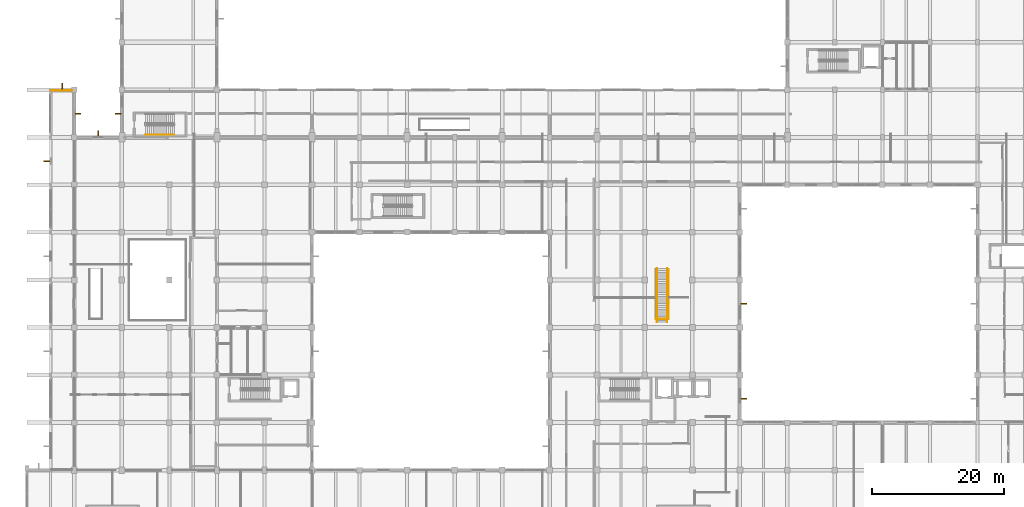
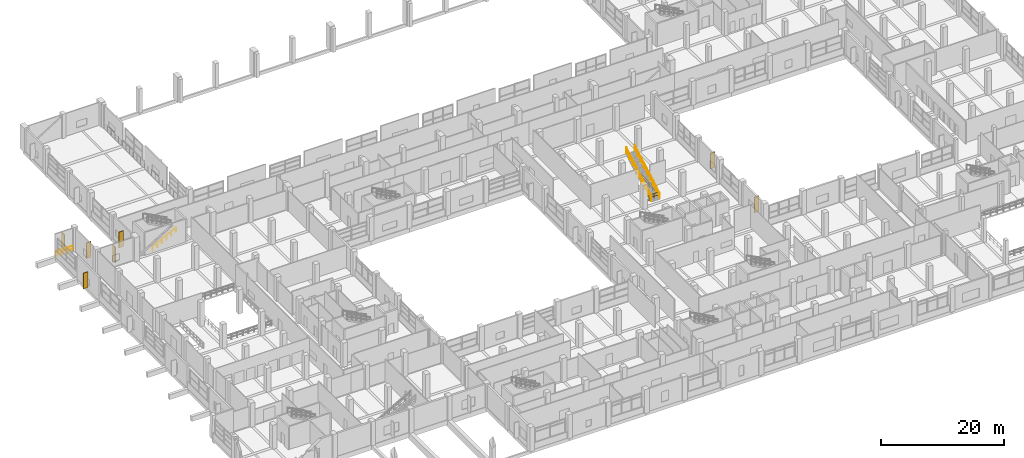
# One storey, part 175 of 181: 7 railings, 7 shading devices.
"""IFC4 building model written with IfcOpenShell, lengths in metres."""

from ifc_helpers import new_model, si_unit, direction, frame, origin, origin_2d, place, context, subcontext, project, spatial, rectangle, circle, extrude, material, type_object, element, save


model = new_model("IFC4")

# Units and contexts
model_context = context("Model", 3, precision=1e-05, world=origin(), true_north=direction((0.0, 1.0)))
body_context = subcontext(model_context, "Body", "Model", "MODEL_VIEW")
ifc_project = project(units=[si_unit("LENGTHUNIT", "METRE"), si_unit("AREAUNIT", "SQUARE_METRE"), si_unit("VOLUMEUNIT", "CUBIC_METRE"), si_unit("PLANEANGLEUNIT", "RADIAN"), si_unit("MASSUNIT", "GRAM", prefix="KILO")], contexts=[model_context])

# Site, building, storey
site_placement = place(None, origin())
site = spatial("IfcSite", under=ifc_project, at=site_placement, CompositionType="ELEMENT")
building_placement = place(site_placement, origin())
building = spatial("IfcBuilding", under=site, at=building_placement, Name="Seraya Terrace Polytechnic", CompositionType="ELEMENT")
storey_placement = place(building_placement, frame((0.0, 0.0, 4.800048828125)))
storey = spatial("IfcBuildingStorey", under=building, at=storey_placement, Name="L01", CompositionType="ELEMENT", Elevation=4.800048828125)

# Shading devices
ifc_material_1 = material(Name="Precast concrete C40/50", Category="concrete")
shading_device_type = type_object("IfcShadingDeviceType", Name="BS-F1", PredefinedType="JALOUSIE", material=ifc_material_1)
for number, where, z_axis, x_axis, name in (
    (1, (3.02001953125, 75.60009765625, 0.449951171875), (0.0, 0.0, 1.0), (-1.0, 0.0, 0.0), "Precast concrete brise-soleil fin L01"),
    (2, (5.39990234375, 86.949951171875, 0.449951171875), (0.0, 0.0, 1.0), (0.0, 1.0, 0.0), "Precast concrete brise-soleil fin L01"),
    (3, (7.75, 82.800048828125, 0.449951171875), (0.0, 0.0, 1.0), (1.0, 0.0, 0.0), "Precast concrete brise-soleil fin L01"),
    (4, (10.800048828125, 79.75, 0.449951171875), (0.0, 0.0, 1.0), (0.0, 1.0, 0.0), "Precast concrete brise-soleil fin L01"),
    (5, (13.85009765625, 82.800048828125, 0.449951171875), (0.0, 0.0, 1.0), (-1.0, 0.0, 0.0), "Precast concrete brise-soleil fin L01"),
    (6, (108.580078125, 54.0, 0.449951171875), (0.0, 0.0, 1.0), (1.0, 0.0, 0.0), "Precast concrete brise-soleil fin L01"),
    (7, (108.580078125, 39.60009765625, 0.449951171875), (0.0, 0.0, 1.0), (1.0, 0.0, 0.0), "Precast concrete brise-soleil fin L01"),
):
    element("IfcShadingDevice", number, at=place(storey_placement, frame(where, z_axis=z_axis, x_axis=x_axis)), inside=storey, type_object=shading_device_type, Name=name, PredefinedType="JALOUSIE", context=body_context, shape_type="SweptSolid", body=[
        extrude(rectangle(XDim=0.89990234375, YDim=0.14990234375, at=origin_2d()), origin(), (0.0, 0.0, 1.0), 3.10009765625),
    ])

# Railings
ifc_material_2 = material(Name="Steel S355J2", Category="steel")
railing_type_1 = type_object("IfcRailingType", Name="GR-01", PredefinedType="GUARDRAIL", material=ifc_material_2)
railing_1_placement = place(storey_placement, frame((3.719970703125, 86.280029296875, 0.0)))
element("IfcRailing", 8, at=railing_1_placement, inside=storey, type_object=railing_type_1, Name="Colonnade gallery guardrail GR-L01-COL-N", PredefinedType="GUARDRAIL", context=body_context, shape_type="SweptSolid", body=[
    extrude(circle(Radius=0.02392578125, at=origin_2d()), frame((0.0, 0.0, 1.10595703125), z_axis=(1.0, 0.0, 0.0), x_axis=(0.0, 1.0, 0.0)), (0.0, 0.0, 1.0), 3.130126953125),
    extrude(circle(Radius=0.02392578125, at=origin_2d()), frame((0.0, 0.0, 0.550048828125), z_axis=(1.0, 0.0, 0.0), x_axis=(0.0, 1.0, 0.0)), (0.0, 0.0, 1.0), 3.130126953125),
    extrude(circle(Radius=0.02099609375, at=origin_2d()), origin(), (0.0, 0.0, 1.0), 1.081787109375),
    extrude(circle(Radius=0.02099609375, at=origin_2d()), frame((1.04345703125, 0.0, 0.0)), (0.0, 0.0, 1.0), 1.081787109375),
    extrude(circle(Radius=0.02099609375, at=origin_2d()), frame((2.086669921875, 0.0, 0.0)), (0.0, 0.0, 1.0), 1.081787109375),
    extrude(circle(Radius=0.02099609375, at=origin_2d()), frame((3.130126953125, 0.0, 0.0)), (0.0, 0.0, 1.0), 1.081787109375),
])
railing_type_2 = type_object("IfcRailingType", Name="GR-02", PredefinedType="GUARDRAIL", material=ifc_material_2)
railing_2_placement = place(storey_placement, frame((95.280029296875, 51.679931640625, 0.0)))
element("IfcRailing", 9, at=railing_2_placement, inside=storey, type_object=railing_type_2, Name="ST-16 top opening guard L01.1", PredefinedType="GUARDRAIL", context=body_context, shape_type="SweptSolid", body=[
    extrude(circle(Radius=0.02392578125, at=origin_2d()), frame((0.0, 0.0, 1.10595703125), z_axis=(1.0, 0.0, 0.0), x_axis=(0.0, 1.0, 0.0)), (0.0, 0.0, 1.0), 1.919921875),
    extrude(circle(Radius=0.02392578125, at=origin_2d()), frame((0.0, 0.0, 0.550048828125), z_axis=(1.0, 0.0, 0.0), x_axis=(0.0, 1.0, 0.0)), (0.0, 0.0, 1.0), 1.919921875),
    extrude(circle(Radius=0.02099609375, at=origin_2d()), origin(), (0.0, 0.0, 1.0), 1.081787109375),
    extrude(circle(Radius=0.02099609375, at=origin_2d()), frame((0.9599609375, 0.0, 0.0)), (0.0, 0.0, 1.0), 1.081787109375),
    extrude(circle(Radius=0.02099609375, at=origin_2d()), frame((1.919921875, 0.0, 0.0)), (0.0, 0.0, 1.0), 1.081787109375),
])
railing_3_placement = place(storey_placement, frame((97.199951171875, 51.739990234375, 0.0)))
element("IfcRailing", 10, at=railing_3_placement, inside=storey, type_object=railing_type_2, Name="ST-16 top opening guard L01.3", PredefinedType="GUARDRAIL", context=body_context, shape_type="SweptSolid", body=[
    extrude(circle(Radius=0.02392578125, at=origin_2d()), frame((0.0, 0.0, 1.10595703125), z_axis=(0.0, 1.0, 0.0), x_axis=(-1.0, 0.0, 0.0)), (0.0, 0.0, 1.0), 7.47998046875),
    extrude(circle(Radius=0.02392578125, at=origin_2d()), frame((0.0, 0.0, 0.550048828125), z_axis=(0.0, 1.0, 0.0), x_axis=(-1.0, 0.0, 0.0)), (0.0, 0.0, 1.0), 7.47998046875),
    extrude(circle(Radius=0.02099609375, at=origin_2d()), origin(), (0.0, 0.0, 1.0), 1.081787109375),
    extrude(circle(Radius=0.02099609375, at=origin_2d()), frame((0.0, 1.068603515625, 0.0)), (0.0, 0.0, 1.0), 1.081787109375),
    extrude(circle(Radius=0.02099609375, at=origin_2d()), frame((0.0, 2.13720703125, 0.0)), (0.0, 0.0, 1.0), 1.081787109375),
    extrude(circle(Radius=0.02099609375, at=origin_2d()), frame((0.0, 3.205810546875, 0.0)), (0.0, 0.0, 1.0), 1.081787109375),
    extrude(circle(Radius=0.02099609375, at=origin_2d()), frame((0.0, 4.274169921875, 0.0)), (0.0, 0.0, 1.0), 1.081787109375),
    extrude(circle(Radius=0.02099609375, at=origin_2d()), frame((0.0, 5.3427734375, 0.0)), (0.0, 0.0, 1.0), 1.081787109375),
    extrude(circle(Radius=0.02099609375, at=origin_2d()), frame((0.0, 6.411376953125, 0.0)), (0.0, 0.0, 1.0), 1.081787109375),
    extrude(circle(Radius=0.02099609375, at=origin_2d()), frame((0.0, 7.47998046875, 0.0)), (0.0, 0.0, 1.0), 1.081787109375),
])
for number, where, name in (
    (11, (97.02001953125, 51.199951171875, 0.159912109375), "ST-16 flight guard L01"),
    (12, (95.4599609375, 51.199951171875, 0.159912109375), "ST-16 flight outer guard L01"),
):
    element("IfcRailing", number, at=place(storey_placement, frame(where)), inside=storey, type_object=railing_type_2, Name=name, PredefinedType="GUARDRAIL", context=body_context, shape_type="SweptSolid", body=[
        extrude(circle(Radius=0.02392578125, at=origin_2d()), frame((0.0, 0.0, 1.10595703125), z_axis=(0.0, 0.868239929229, 0.496144560882), x_axis=(-1.0, 0.0, 0.0)), (0.0, 0.0, 1.0), 9.352294921875),
        extrude(circle(Radius=0.02392578125, at=origin_2d()), frame((0.0, 0.0, 0.550048828125), z_axis=(0.0, 0.868239929229, 0.496144560882), x_axis=(-1.0, 0.0, 0.0)), (0.0, 0.0, 1.0), 9.352294921875),
        extrude(circle(Radius=0.02099609375, at=origin_2d()), origin(), (0.0, 0.0, 1.0), 1.081787109375),
        extrude(circle(Radius=0.02099609375, at=origin_2d()), frame((0.0, 1.01513671875, 0.580078125)), (0.0, 0.0, 1.0), 1.081787109375),
        extrude(circle(Radius=0.02099609375, at=origin_2d()), frame((0.0, 2.030029296875, 1.16015625)), (0.0, 0.0, 1.0), 1.081787109375),
        extrude(circle(Radius=0.02099609375, at=origin_2d()), frame((0.0, 3.044921875, 1.739990234375)), (0.0, 0.0, 1.0), 1.081787109375),
        extrude(circle(Radius=0.02099609375, at=origin_2d()), frame((0.0, 4.06005859375, 2.320068359375)), (0.0, 0.0, 1.0), 1.081787109375),
        extrude(circle(Radius=0.02099609375, at=origin_2d()), frame((0.0, 5.0751953125, 2.900146484375)), (0.0, 0.0, 1.0), 1.081787109375),
        extrude(circle(Radius=0.02099609375, at=origin_2d()), frame((0.0, 6.090087890625, 3.47998046875)), (0.0, 0.0, 1.0), 1.081787109375),
        extrude(circle(Radius=0.02099609375, at=origin_2d()), frame((0.0, 7.10498046875, 4.06005859375)), (0.0, 0.0, 1.0), 1.081787109375),
        extrude(circle(Radius=0.02099609375, at=origin_2d()), frame((0.0, 8.1201171875, 4.64013671875)), (0.0, 0.0, 1.0), 1.081787109375),
    ])
railing_type_3 = type_object("IfcRailingType", Name="HR-01", PredefinedType="HANDRAIL", material=ifc_material_2)
railing_4_placement = place(storey_placement, frame((18.0, 79.60009765625, 0.14990234375)))
element("IfcRailing", 13, at=railing_4_placement, inside=storey, type_object=railing_type_3, Name="L01 ST-07 stair handrail 1", PredefinedType="HANDRAIL", context=body_context, shape_type="SweptSolid", body=[
    extrude(circle(Radius=0.02392578125, at=origin_2d()), frame((0.0, 0.0, 0.8759765625), z_axis=(0.888221851817, 0.0, 0.459414782038), x_axis=(0.0, 1.0, 0.0)), (0.0, 0.0, 1.0), 4.8974609375),
    extrude(circle(Radius=0.02099609375, at=origin_2d()), origin(), (0.0, 0.0, 1.0), 0.851806640625),
    extrude(circle(Radius=0.02099609375, at=origin_2d()), frame((0.8701171875, 0.0, 0.449951171875)), (0.0, 0.0, 1.0), 0.851806640625),
    extrude(circle(Radius=0.02099609375, at=origin_2d()), frame((1.739990234375, 0.0, 0.89990234375)), (0.0, 0.0, 1.0), 0.851806640625),
    extrude(circle(Radius=0.02099609375, at=origin_2d()), frame((2.610107421875, 0.0, 1.35009765625)), (0.0, 0.0, 1.0), 0.851806640625),
    extrude(circle(Radius=0.02099609375, at=origin_2d()), frame((3.47998046875, 0.0, 1.800048828125)), (0.0, 0.0, 1.0), 0.851806640625),
    extrude(circle(Radius=0.02099609375, at=origin_2d()), frame((4.35009765625, 0.0, 2.25)), (0.0, 0.0, 1.0), 0.851806640625),
])
railing_5_placement = place(storey_placement, frame((95.4599609375, 51.199951171875, 0.159912109375)))
element("IfcRailing", 14, at=railing_5_placement, inside=storey, type_object=railing_type_3, Name="ST-16 handrail L01", PredefinedType="HANDRAIL", context=body_context, shape_type="SweptSolid", body=[
    extrude(circle(Radius=0.02392578125, at=origin_2d()), frame((0.0, 0.0, 0.8759765625), z_axis=(0.0, 0.868239929229, 0.496144560882), x_axis=(-1.0, 0.0, 0.0)), (0.0, 0.0, 1.0), 9.352294921875),
    extrude(circle(Radius=0.02099609375, at=origin_2d()), origin(), (0.0, 0.0, 1.0), 0.851806640625),
    extrude(circle(Radius=0.02099609375, at=origin_2d()), frame((0.0, 1.01513671875, 0.580078125)), (0.0, 0.0, 1.0), 0.851806640625),
    extrude(circle(Radius=0.02099609375, at=origin_2d()), frame((0.0, 2.030029296875, 1.16015625)), (0.0, 0.0, 1.0), 0.851806640625),
    extrude(circle(Radius=0.02099609375, at=origin_2d()), frame((0.0, 3.044921875, 1.739990234375)), (0.0, 0.0, 1.0), 0.851806640625),
    extrude(circle(Radius=0.02099609375, at=origin_2d()), frame((0.0, 4.06005859375, 2.320068359375)), (0.0, 0.0, 1.0), 0.851806640625),
    extrude(circle(Radius=0.02099609375, at=origin_2d()), frame((0.0, 5.0751953125, 2.900146484375)), (0.0, 0.0, 1.0), 0.851806640625),
    extrude(circle(Radius=0.02099609375, at=origin_2d()), frame((0.0, 6.090087890625, 3.47998046875)), (0.0, 0.0, 1.0), 0.851806640625),
    extrude(circle(Radius=0.02099609375, at=origin_2d()), frame((0.0, 7.10498046875, 4.06005859375)), (0.0, 0.0, 1.0), 0.851806640625),
    extrude(circle(Radius=0.02099609375, at=origin_2d()), frame((0.0, 8.1201171875, 4.64013671875)), (0.0, 0.0, 1.0), 0.851806640625),
])

save(model, "model.ifc")
